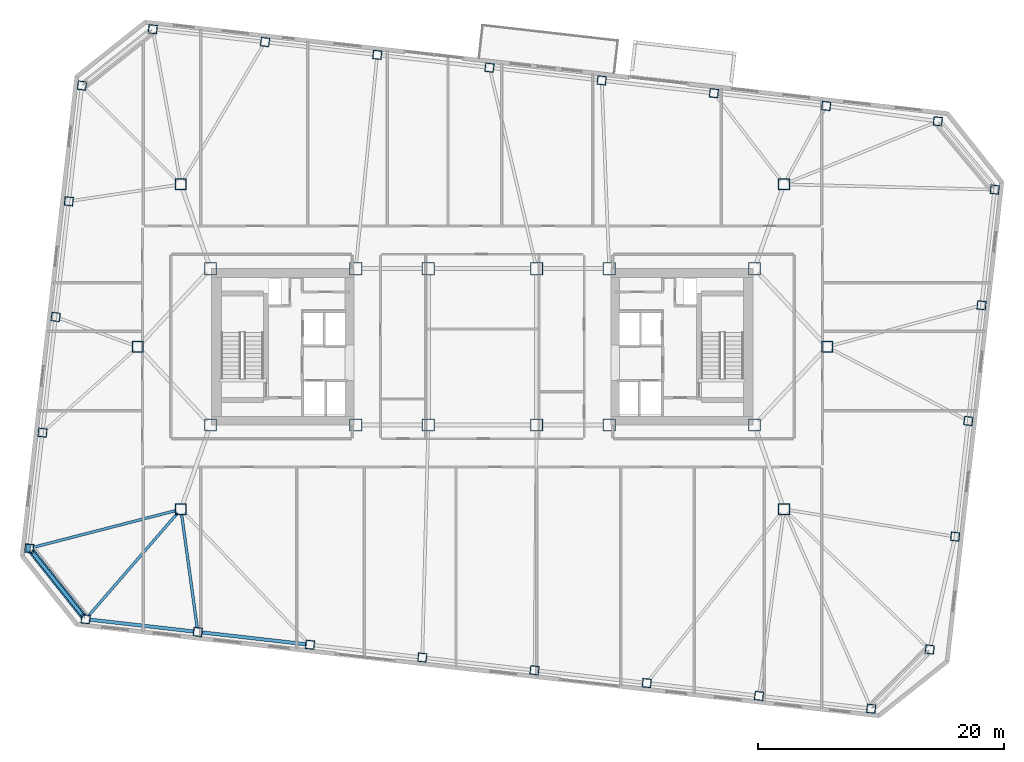
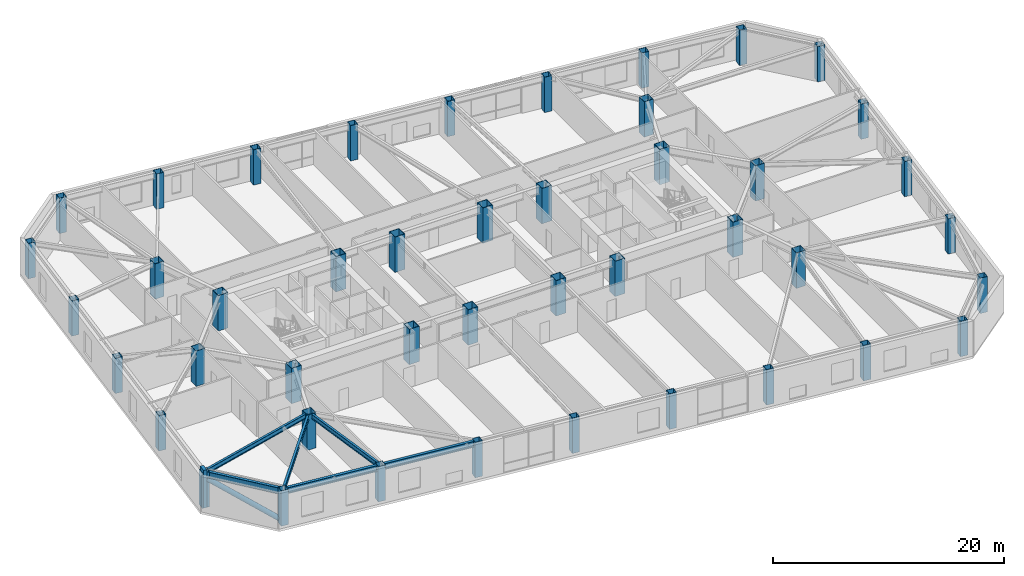
# One storey, part 1 of 21: 44 columns, 6 beams, 2 members.
"""IFC4 building model written with IfcOpenShell, lengths in metres."""

from ifc_helpers import new_model, si_unit, direction, frame, origin, origin_2d, place, context, subcontext, project, spatial, rectangle, hollow_rectangle, hollow_circle, i_section, extrude, material, material_profile, profile_set, type_object, element, save


model = new_model("IFC4")

# Units and contexts
model_context = context("Model", 3, precision=1e-05, world=origin(), true_north=direction((0.0, 1.0)))
body_context = subcontext(model_context, "Body", "Model", "MODEL_VIEW")
ifc_project = project(units=[si_unit("LENGTHUNIT", "METRE"), si_unit("AREAUNIT", "SQUARE_METRE"), si_unit("VOLUMEUNIT", "CUBIC_METRE"), si_unit("PLANEANGLEUNIT", "RADIAN"), si_unit("MASSUNIT", "GRAM", prefix="KILO")], contexts=[model_context])

# Site, building, storey
site_placement = place(None, origin())
site = spatial("IfcSite", under=ifc_project, at=site_placement, CompositionType="ELEMENT")
building_placement = place(site_placement, origin())
building = spatial("IfcBuilding", under=site, at=building_placement, Name="Tavrogorsk Clinical Tower", CompositionType="ELEMENT")
storey_placement = place(building_placement, frame((0.0, 0.0, 125.39990234375)))
storey = spatial("IfcBuildingStorey", under=building, at=storey_placement, Name="L28", CompositionType="ELEMENT", Elevation=125.39990234375)

# Columns
ifc_material_1 = material(Name="Structural steel S440", Category="steel")
ifc_material_profile_1 = material_profile(ifc_material_1, hollow_rectangle(XDim=1.0, YDim=1.0, WallThickness=0.044921875, at=origin_2d()), Name="BOX-1000x1000x45")
ifc_profile_set_1 = profile_set([ifc_material_profile_1], Name="Structural steel S440")
column_type_1 = type_object("IfcColumnType", Name="MegaCol_BOX1000", PredefinedType="COLUMN", material=ifc_profile_set_1)
for number, where, z_axis, x_axis, name in (
    (1, (-22.10009765625, -6.35009765625, 0.0), (0.0, 0.0, 1.0), (1.0, 0.0, 0.0), "L28 Mega Column MC-W1"),
    (2, (-22.10009765625, 6.35009765625, 0.0), (0.0, 0.0, 1.0), (1.0, 0.0, 0.0), "L28 Mega Column MC-W2"),
    (3, (-10.300048828125, -6.35009765625, 0.0), (0.0, 0.0, 1.0), (1.0, 0.0, 0.0), "L28 Mega Column MC-W3"),
    (4, (-10.300048828125, 6.35009765625, 0.0), (0.0, 0.0, 1.0), (1.0, 0.0, 0.0), "L28 Mega Column MC-W4"),
    (5, (10.300048828125, -6.35009765625, 0.0), (0.0, 0.0, 1.0), (1.0, 0.0, 0.0), "L28 Mega Column MC-E1"),
    (6, (10.300048828125, 6.35009765625, 0.0), (0.0, 0.0, 1.0), (1.0, 0.0, 0.0), "L28 Mega Column MC-E2"),
    (7, (22.10009765625, -6.35009765625, 0.0), (0.0, 0.0, 1.0), (1.0, 0.0, 0.0), "L28 Mega Column MC-E3"),
    (8, (22.10009765625, 6.35009765625, 0.0), (0.0, 0.0, 1.0), (1.0, 0.0, 0.0), "L28 Mega Column MC-E4"),
    (9, (-4.39990234375, -6.35009765625, 0.0), (0.0, 0.0, 1.0), (1.0, 0.0, 0.0), "L28 Mega Column MC-C1"),
    (10, (4.39990234375, -6.35009765625, 0.0), (0.0, 0.0, 1.0), (1.0, 0.0, 0.0), "L28 Mega Column MC-C2"),
    (11, (-4.39990234375, 6.35009765625, 0.0), (0.0, 0.0, 1.0), (1.0, 0.0, 0.0), "L28 Mega Column MC-C3"),
    (12, (4.39990234375, 6.35009765625, 0.0), (0.0, 0.0, 1.0), (1.0, 0.0, 0.0), "L28 Mega Column MC-C4"),
):
    element("IfcColumn", number, at=place(storey_placement, frame(where, z_axis=z_axis, x_axis=x_axis)), inside=storey, type_object=column_type_1, Name=name, PredefinedType="COLUMN", context=body_context, shape_type="SweptSolid", body=[
        extrude(hollow_rectangle(XDim=1.0, YDim=1.0, WallThickness=0.044921875, at=origin_2d()), origin(), (0.0, 0.0, 1.0), 3.739990234375),
    ])
ifc_material_2 = material(Name="Structural steel S440", Category="steel")
ifc_material_profile_2 = material_profile(ifc_material_2, hollow_rectangle(XDim=0.89990234375, YDim=0.89990234375, WallThickness=0.0400390625, at=origin_2d()), Name="BOX-900x900x40")
ifc_profile_set_2 = profile_set([ifc_material_profile_2], Name="Structural steel S440")
column_type_2 = type_object("IfcColumnType", Name="MegaCol_BOX900", PredefinedType="COLUMN", material=ifc_profile_set_2)
for number, where, z_axis, x_axis, name in (
    (13, (-24.5, -13.199951171875, 0.0), (0.0, 0.0, 1.0), (1.0, 0.0, 0.0), "L28 Spine Pilotis Column MC-P1"),
    (14, (24.5, -13.199951171875, 0.0), (0.0, 0.0, 1.0), (1.0, 0.0, 0.0), "L28 Spine Pilotis Column MC-P2"),
    (15, (-24.5, 13.199951171875, 0.0), (0.0, 0.0, 1.0), (1.0, 0.0, 0.0), "L28 Spine Pilotis Column MC-P3"),
    (16, (24.5, 13.199951171875, 0.0), (0.0, 0.0, 1.0), (1.0, 0.0, 0.0), "L28 Spine Pilotis Column MC-P4"),
    (17, (-28.0, 0.0, 0.0), (0.0, 0.0, 1.0), (1.0, 0.0, 0.0), "L28 Spine Pilotis Column MC-P5"),
    (18, (28.0, 0.0, 0.0), (0.0, 0.0, 1.0), (1.0, 0.0, 0.0), "L28 Spine Pilotis Column MC-P6"),
):
    element("IfcColumn", number, at=place(storey_placement, frame(where, z_axis=z_axis, x_axis=x_axis)), inside=storey, type_object=column_type_2, Name=name, PredefinedType="COLUMN", context=body_context, shape_type="SweptSolid", body=[
        extrude(hollow_rectangle(XDim=0.89990234375, YDim=0.89990234375, WallThickness=0.0400390625, at=origin_2d()), origin(), (0.0, 0.0, 1.0), 3.739990234375),
    ])
ifc_material_3 = material(Name="Structural steel S440", Category="steel")
ifc_material_profile_3 = material_profile(ifc_material_3, hollow_rectangle(XDim=0.699951171875, YDim=0.699951171875, WallThickness=0.031982421875, at=origin_2d()), Name="BOX-700x700x32")
ifc_profile_set_3 = profile_set([ifc_material_profile_3], Name="Structural steel S440")
column_type_3 = type_object("IfcColumnType", Name="PerimCol_B2_BOX700", PredefinedType="COLUMN", material=ifc_profile_set_3)
for number, where, z_axis, x_axis, name in (
    (19, (-32.243896484375, -22.12890625, 0.0), (0.0, 0.0, 1.0), (0.993571855677, -0.113203213768, 0.0), "L28 Perimeter Column S1"),
    (20, (-23.1259765625, -23.167724609375, 0.0), (0.0, 0.0, 1.0), (0.993571855677, -0.113203213768, 0.0), "L28 Perimeter Column S2"),
    (21, (-14.0078125, -24.20654296875, 0.0), (0.0, 0.0, 1.0), (0.993571855677, -0.113203213768, 0.0), "L28 Perimeter Column S3"),
    (22, (-4.8896484375, -25.24560546875, 0.0), (0.0, 0.0, 1.0), (0.993571855677, -0.113203213768, 0.0), "L28 Perimeter Column S4"),
    (23, (4.228515625, -26.284423828125, 0.0), (0.0, 0.0, 1.0), (0.993571855677, -0.113203213768, 0.0), "L28 Perimeter Column S5"),
    (24, (13.3466796875, -27.3232421875, 0.0), (0.0, 0.0, 1.0), (0.993571855677, -0.113203213768, 0.0), "L28 Perimeter Column S6"),
    (25, (22.465087890625, -28.3623046875, 0.0), (0.0, 0.0, 1.0), (0.993571855677, -0.113203213768, 0.0), "L28 Perimeter Column S7"),
    (26, (31.5830078125, -29.40087890625, 0.0), (0.0, 0.0, 1.0), (0.993571855677, -0.113203213768, 0.0), "L28 Perimeter Column S8"),
    (27, (36.99658203125, 18.323486328125, 0.0), (0.0, 0.0, 1.0), (0.993571855677, -0.113203213768, 0.0), "L28 Perimeter Column N1"),
    (28, (27.92578125, 19.567626953125, 0.0), (0.0, 0.0, 1.0), (0.993571855677, -0.113203213768, 0.0), "L28 Perimeter Column N2"),
    (29, (18.8076171875, 20.606689453125, 0.0), (0.0, 0.0, 1.0), (0.993571855677, -0.113203213768, 0.0), "L28 Perimeter Column N3"),
    (30, (9.689697265625, 21.6455078125, 0.0), (0.0, 0.0, 1.0), (0.993571855677, -0.113203213768, 0.0), "L28 Perimeter Column N4"),
    (31, (0.5712890625, 22.684326171875, 0.0), (0.0, 0.0, 1.0), (0.993571855677, -0.113203213768, 0.0), "L28 Perimeter Column N5"),
    (32, (-8.546875, 23.723388671875, 0.0), (0.0, 0.0, 1.0), (0.993571855677, -0.113203213768, 0.0), "L28 Perimeter Column N6"),
    (33, (-17.6650390625, 24.76220703125, 0.0), (0.0, 0.0, 1.0), (0.993571855677, -0.113203213768, 0.0), "L28 Perimeter Column N7"),
    (34, (-26.783203125, 25.801025390625, 0.0), (0.0, 0.0, 1.0), (0.993571855677, -0.113203213768, 0.0), "L28 Perimeter Column N8"),
    (35, (36.335693359375, -24.591796875, 0.0), (0.0, 0.0, 1.0), (0.993571855677, -0.113203213768, 0.0), "L28 Perimeter Column E1"),
    (36, (38.4091796875, -15.423828125, 0.0), (0.0, 0.0, 1.0), (0.993571855677, -0.113203213768, 0.0), "L28 Perimeter Column E2"),
    (37, (39.47998046875, -6.024658203125, 0.0), (0.0, 0.0, 1.0), (0.993571855677, -0.113203213768, 0.0), "L28 Perimeter Column E3"),
    (38, (40.551025390625, 3.37451171875, 0.0), (0.0, 0.0, 1.0), (0.993571855677, -0.113203213768, 0.0), "L28 Perimeter Column E4"),
    (39, (41.621826171875, 12.773681640625, 0.0), (0.0, 0.0, 1.0), (0.993571855677, -0.113203213768, 0.0), "L28 Perimeter Column E5"),
    (40, (-32.538330078125, 21.22314453125, 0.0), (0.0, 0.0, 1.0), (0.993571855677, -0.113203213768, 0.0), "L28 Perimeter Column W1"),
    (41, (-33.609130859375, 11.823974609375, 0.0), (0.0, 0.0, 1.0), (0.993571855677, -0.113203213768, 0.0), "L28 Perimeter Column W2"),
    (42, (-34.68017578125, 2.4248046875, 0.0), (0.0, 0.0, 1.0), (0.993571855677, -0.113203213768, 0.0), "L28 Perimeter Column W3"),
    (43, (-35.7509765625, -6.974365234375, 0.0), (0.0, 0.0, 1.0), (0.993571855677, -0.113203213768, 0.0), "L28 Perimeter Column W4"),
    (44, (-36.822021484375, -16.37353515625, 0.0), (0.0, 0.0, 1.0), (0.993571855677, -0.113203213768, 0.0), "L28 Perimeter Column W5"),
):
    element("IfcColumn", number, at=place(storey_placement, frame(where, z_axis=z_axis, x_axis=x_axis)), inside=storey, type_object=column_type_3, Name=name, PredefinedType="COLUMN", context=body_context, shape_type="SweptSolid", body=[
        extrude(hollow_rectangle(XDim=0.699951171875, YDim=0.699951171875, WallThickness=0.031982421875, at=origin_2d()), origin(), (0.0, 0.0, 1.0), 3.739990234375),
    ])

# Member
ifc_material_4 = material(Name="Structural steel S440", Category="steel")
ifc_material_profile_4 = material_profile(ifc_material_4, hollow_circle(Radius=0.25390625, WallThickness=0.02001953125, at=origin_2d()), Name="CHS-508x20")
ifc_profile_set_4 = profile_set([ifc_material_profile_4], Name="Structural steel S440")
member_type_1 = type_object("IfcMemberType", Name="ExoBrace_CHS508", PredefinedType="BRACE", material=ifc_profile_set_4)
member_1_placement = place(storey_placement, frame((-32.452880859375, -21.866455078125, 0.425048828125), z_axis=(-0.583326985798, 0.73336936718, 0.349140371371), x_axis=(-0.782619256143, -0.622500682662, 0.0)))
element("IfcMember", 45, at=member_1_placement, inside=storey, type_object=member_type_1, Name="L28 Corner Exoskeleton Brace W5-S1", PredefinedType="BRACE", context=body_context, shape_type="SweptSolid", body=[
    extrude(hollow_circle(Radius=0.25390625, WallThickness=0.02001953125, at=origin_2d()), origin(), (0.0, 0.0, 1.0), 7.1318359375),
])

# Beams
ifc_material_5 = material(Name="Structural steel S355", Category="steel")
ifc_material_profile_5 = material_profile(ifc_material_5, i_section(OverallWidth=0.219970703125, OverallDepth=0.5, WebThickness=0.012939453125, FlangeThickness=0.02001953125, at=origin_2d()), Name="B-500x220x13x20")
ifc_profile_set_5 = profile_set([ifc_material_profile_5], Name="Structural steel S355")
beam_type_1 = type_object("IfcBeamType", Name="FloorBeam_B500", PredefinedType="BEAM", material=ifc_profile_set_5)
beam_1_placement = place(storey_placement, frame((-24.7685546875, -13.509765625, 3.489990234375), z_axis=(-0.655213926096, -0.755443387058, 0.0), x_axis=(0.755443387058, -0.655213926096, 0.0)))
element("IfcBeam", 46, at=beam_1_placement, inside=storey, type_object=beam_type_1, Name="L28 Radial Floor Beam S1", PredefinedType="BEAM", context=body_context, shape_type="SweptSolid", body=[
    extrude(i_section(OverallWidth=0.219970703125, OverallDepth=0.5, WebThickness=0.012939453125, FlangeThickness=0.02001953125, at=origin_2d()), origin(), (0.0, 0.0, 1.0), 11.05126953125),
])
beam_2_placement = place(storey_placement, frame((-24.444091796875, -13.606201171875, 3.489990234375), z_axis=(0.136572505989, -0.990630077581, 0.0), x_axis=(0.990630077581, 0.136572505989, 0.0)))
element("IfcBeam", 47, at=beam_2_placement, inside=storey, type_object=beam_type_1, Name="L28 Radial Floor Beam S2", PredefinedType="BEAM", context=body_context, shape_type="SweptSolid", body=[
    extrude(i_section(OverallWidth=0.219970703125, OverallDepth=0.5, WebThickness=0.012939453125, FlangeThickness=0.02001953125, at=origin_2d()), origin(), (0.0, 0.0, 1.0), 9.2939453125),
])
beam_3_placement = place(storey_placement, frame((-24.89697265625, -13.30224609375, 3.489990234375), z_axis=(-0.968393085087, -0.24942901346, 0.0), x_axis=(0.24942901346, -0.968393085087, 0.0)))
element("IfcBeam", 48, at=beam_3_placement, inside=storey, type_object=beam_type_1, Name="L28 Radial Floor Beam W5", PredefinedType="BEAM", context=body_context, shape_type="SweptSolid", body=[
    extrude(i_section(OverallWidth=0.219970703125, OverallDepth=0.5, WebThickness=0.012939453125, FlangeThickness=0.02001953125, at=origin_2d()), origin(), (0.0, 0.0, 1.0), 11.9560546875),
])

# Member
ifc_material_6 = material(Name="Precast concrete B45 with limestone cladding", Category="masonry")
ifc_material_profile_6 = material_profile(ifc_material_6, rectangle(XDim=0.320068359375, YDim=0.719970703125, at=origin_2d()), Name="LIMESTONE-FIN-320x720")
ifc_profile_set_6 = profile_set([ifc_material_profile_6], Name="Precast concrete B45 with limestone cladding")
member_type_2 = type_object("IfcMemberType", Name="LimestonePleatFin_320x720", PredefinedType="USERDEFINED", material=ifc_profile_set_6)
member_2_placement = place(storey_placement, frame((-36.9013671875, -16.364501953125, 0.0), z_axis=(0.0, 0.0, 1.0), x_axis=(0.993571855677, -0.113203213768, 0.0)))
element("IfcMember", 49, at=member_2_placement, inside=storey, type_object=member_type_2, Name="L28 W Pleated Stone Fin 4", ObjectType="FIN", PredefinedType="USERDEFINED", context=body_context, shape_type="SweptSolid", body=[
    extrude(rectangle(XDim=0.320068359375, YDim=0.719970703125, at=origin_2d()), origin(), (0.0, 0.0, 1.0), 4.0),
])

# Beams
ifc_material_7 = material(Name="Structural steel S390", Category="steel")
ifc_material_profile_7 = material_profile(ifc_material_7, i_section(OverallWidth=0.280029296875, OverallDepth=0.64990234375, WebThickness=0.01611328125, FlangeThickness=0.02490234375, at=origin_2d()), Name="B-650x280x16x25")
ifc_profile_set_7 = profile_set([ifc_material_profile_7], Name="Structural steel S390")
beam_type_2 = type_object("IfcBeamType", Name="SpandrelBeam_B650", PredefinedType="SPANDREL", material=ifc_profile_set_7)
beam_4_placement = place(storey_placement, frame((-31.88818359375, -22.16943359375, 3.4150390625), z_axis=(0.99357232562, -0.113199089054, 0.0), x_axis=(0.113199089054, 0.99357232562, 0.0)))
element("IfcBeam", 50, at=beam_4_placement, inside=storey, type_object=beam_type_2, Name="L28 Perimeter Spandrel S1-S2", PredefinedType="SPANDREL", context=body_context, shape_type="SweptSolid", body=[
    extrude(i_section(OverallWidth=0.280029296875, OverallDepth=0.64990234375, WebThickness=0.01611328125, FlangeThickness=0.02490234375, at=origin_2d()), origin(), (0.0, 0.0, 1.0), 8.4609375),
])
beam_5_placement = place(storey_placement, frame((-22.770263671875, -23.208251953125, 3.4150390625), z_axis=(0.99357306506, -0.113192598642, 0.0), x_axis=(0.113192598642, 0.99357306506, 0.0)))
element("IfcBeam", 51, at=beam_5_placement, inside=storey, type_object=beam_type_2, Name="L28 Perimeter Spandrel S2-S3", PredefinedType="SPANDREL", context=body_context, shape_type="SweptSolid", body=[
    extrude(i_section(OverallWidth=0.280029296875, OverallDepth=0.64990234375, WebThickness=0.01611328125, FlangeThickness=0.02490234375, at=origin_2d()), origin(), (0.0, 0.0, 1.0), 8.46142578125),
])
beam_6_placement = place(storey_placement, frame((-36.59912109375, -16.65380859375, 3.4150390625), z_axis=(0.622530733212, -0.782595352788, 0.0), x_axis=(0.782595352788, 0.622530733212, 0.0)))
element("IfcBeam", 52, at=beam_6_placement, inside=storey, type_object=beam_type_2, Name="L28 Perimeter Spandrel W5-S1", PredefinedType="SPANDREL", context=body_context, shape_type="SweptSolid", body=[
    extrude(i_section(OverallWidth=0.280029296875, OverallDepth=0.64990234375, WebThickness=0.01611328125, FlangeThickness=0.02490234375, at=origin_2d()), origin(), (0.0, 0.0, 1.0), 6.637939453125),
])

save(model, "model.ifc")
